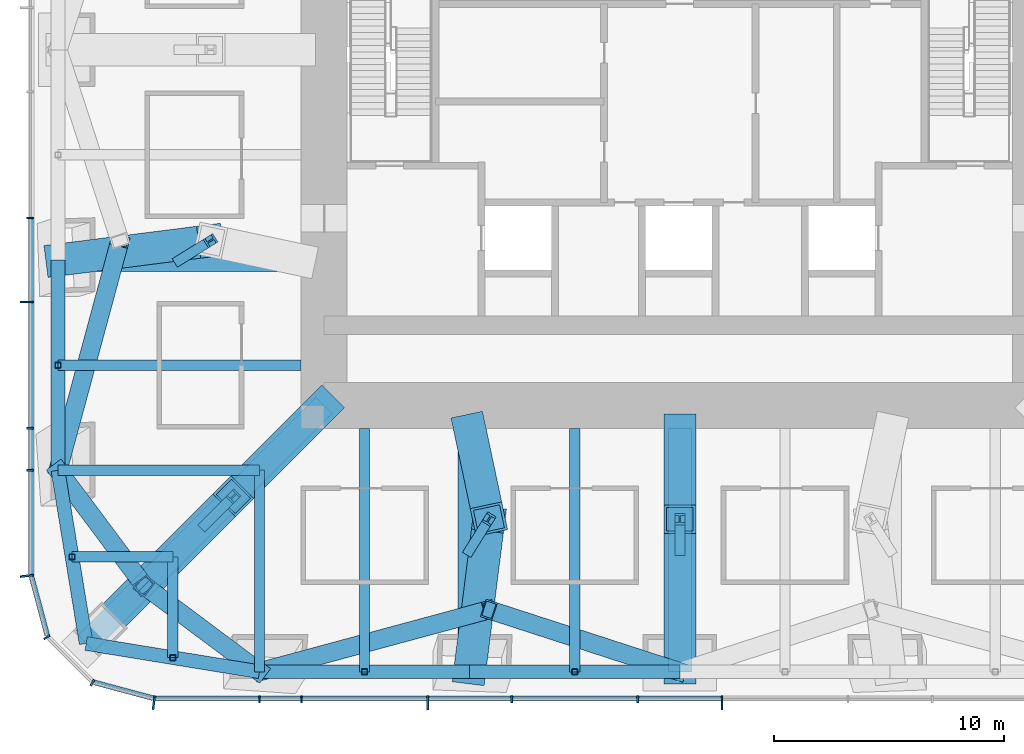
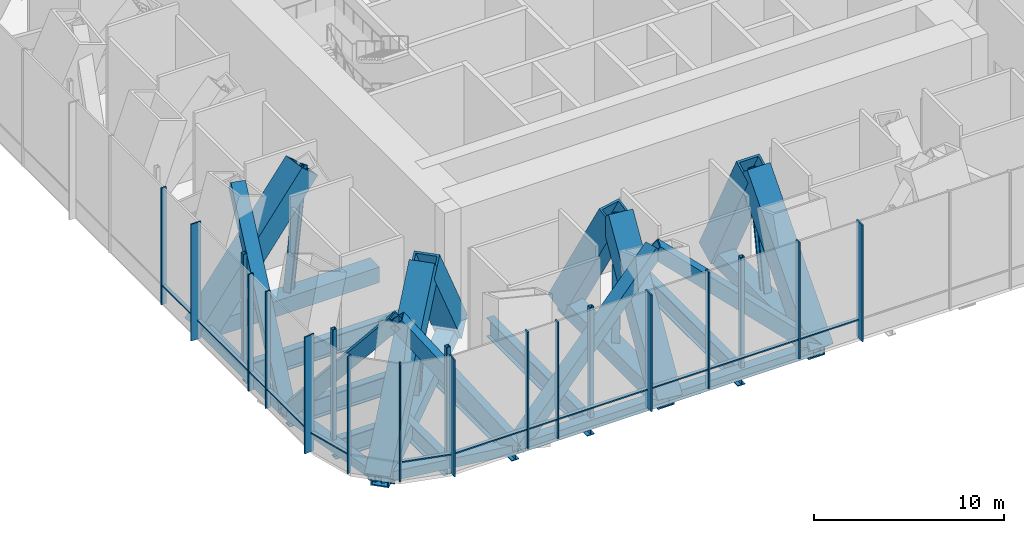
# One storey, part 2 of 16: 56 members, 7 beams, 3 elements without a shape of their own.
"""IFC4 building model written with IfcOpenShell, lengths in metres."""

from ifc_helpers import new_model, si_unit, direction, frame, origin, origin_2d, place, context, subcontext, project, spatial, rectangle, hollow_rectangle, i_section, extrude, material, material_profile, profile_set, type_object, element, aggregate, save


model = new_model("IFC4")

# Units and contexts
model_context = context("Model", 3, precision=1e-05, world=origin(), true_north=direction((0.0, 1.0)))
body_context = subcontext(model_context, "Body", "Model", "MODEL_VIEW")
ifc_project = project(units=[si_unit("LENGTHUNIT", "METRE"), si_unit("AREAUNIT", "SQUARE_METRE"), si_unit("VOLUMEUNIT", "CUBIC_METRE"), si_unit("PLANEANGLEUNIT", "RADIAN"), si_unit("MASSUNIT", "GRAM", prefix="KILO")], contexts=[model_context])

# Site, building, storey
site_placement = place(None, origin())
site = spatial("IfcSite", under=ifc_project, at=site_placement, CompositionType="ELEMENT")
building_placement = place(site_placement, origin())
building = spatial("IfcBuilding", under=site, at=building_placement, Name="Khuree Lantern Residences", CompositionType="ELEMENT")
storey_placement = place(building_placement, frame((0.0, 0.0, 192.0)))
storey = spatial("IfcBuildingStorey", under=building, at=storey_placement, Name="L48", CompositionType="ELEMENT", Elevation=192.0)

# Beams
ifc_material_1 = material(Name="Steel S355", Category="steel")
ifc_material_profile_1 = material_profile(ifc_material_1, i_section(OverallWidth=0.449951171875, OverallDepth=1.199951171875, WebThickness=0.02490234375, FlangeThickness=0.044921875, at=origin_2d()), Name="WELDED I 1200X450X25X45")
ifc_profile_set_1 = profile_set([ifc_material_profile_1], Name="Steel S355")
beam_type_1 = type_object("IfcBeamType", Name="B-48 SECONDARY BEAM WELDED I 1200X450X25X45", PredefinedType="BEAM", material=ifc_profile_set_1)
for number, where, z_axis, x_axis, name in (
    (1, (-4.580078125, -27.10009765625, -0.949951171875), (0.0, 1.0, 0.0), (-1.0, 0.0, 0.0), "Secondary beam S4"),
    (2, (-13.739990234375, -27.10009765625, -0.949951171875), (0.0, 1.0, 0.0), (-1.0, 0.0, 0.0), "Secondary beam S5"),
):
    element("IfcBeam", number, at=place(storey_placement, frame(where, z_axis=z_axis, x_axis=x_axis)), inside=storey, type_object=beam_type_1, Name=name, PredefinedType="BEAM", context=body_context, shape_type="SweptSolid", body=[
        extrude(i_section(OverallWidth=0.449951171875, OverallDepth=1.199951171875, WebThickness=0.02490234375, FlangeThickness=0.044921875, at=origin_2d()), origin(), (0.0, 0.0, 1.0), 10.60009765625),
    ])
for number, where, z_axis, x_axis, name in (
    (3, (-22.094970703125, -26.48486328125, -0.949951171875), (0.0, 1.0, 0.0), (-1.0, 0.0, 0.0), "Secondary beam S6"),
    (4, (-26.48486328125, -22.094970703125, -0.949951171875), (1.0, 0.0, 0.0), (0.0, 1.0, 0.0), "Secondary beam W1"),
):
    element("IfcBeam", number, at=place(storey_placement, frame(where, z_axis=z_axis, x_axis=x_axis)), inside=storey, type_object=beam_type_1, Name=name, PredefinedType="BEAM", context=body_context, shape_type="SweptSolid", body=[
        extrude(i_section(OverallWidth=0.449951171875, OverallDepth=1.199951171875, WebThickness=0.02490234375, FlangeThickness=0.044921875, at=origin_2d()), origin(), (0.0, 0.0, 1.0), 4.389892578125),
    ])
beam_placement = place(storey_placement, frame((-27.10009765625, -13.739990234375, -0.949951171875), z_axis=(1.0, 0.0, 0.0), x_axis=(0.0, 1.0, 0.0)))
element("IfcBeam", 5, at=beam_placement, inside=storey, type_object=beam_type_1, Name="Secondary beam W2", PredefinedType="BEAM", context=body_context, shape_type="SweptSolid", body=[
    extrude(i_section(OverallWidth=0.449951171875, OverallDepth=1.199951171875, WebThickness=0.02490234375, FlangeThickness=0.044921875, at=origin_2d()), origin(), (0.0, 0.0, 1.0), 10.60009765625),
])

# Members
ifc_material_profile_2 = material_profile(ifc_material_1, hollow_rectangle(XDim=0.800048828125, YDim=0.800048828125, WallThickness=0.070068359375, at=origin_2d()), Name="WELDED BOX 800X800X70")
ifc_profile_set_2 = profile_set([ifc_material_profile_2], Name="Steel S355")
member_type_1 = type_object("IfcMemberType", Name="BD-48 BELT TRUSS DIAGONAL WELDED BOX 800X800X70", PredefinedType="BRACE", material=ifc_profile_set_2)
member_1_placement = place(storey_placement, frame((0.0, -27.10009765625, -0.64990234375), z_axis=(-0.718015094379, 0.233024646962, 0.655861142432), x_axis=(-0.308690344156, -0.951162589374, 0.0)))
element("IfcMember", 6, at=member_1_placement, inside=storey, type_object=member_type_1, Name="Belt truss diagonal S4", PredefinedType="BRACE", context=body_context, shape_type="SweptSolid", body=[
    extrude(hollow_rectangle(XDim=0.800048828125, YDim=0.800048828125, WallThickness=0.070068359375, at=origin_2d()), origin(), (0.0, 0.0, 1.0), 11.587646484375),
])
member_2_placement = place(storey_placement, frame((-8.320068359375, -24.39990234375, 6.949951171875), z_axis=(-0.778383779751, -0.210178823341, -0.591560270505), x_axis=(0.260683426993, -0.965424337217, 0.0)))
element("IfcMember", 7, at=member_2_placement, inside=storey, type_object=member_type_1, Name="Belt truss diagonal S5", PredefinedType="BRACE", context=body_context, shape_type="SweptSolid", body=[
    extrude(hollow_rectangle(XDim=0.800048828125, YDim=0.800048828125, WallThickness=0.070068359375, at=origin_2d()), origin(), (0.0, 0.0, 1.0), 12.84716796875),
])
for number, where, z_axis, x_axis, name in (
    (8, (-18.320068359375, -27.10009765625, -0.64990234375), (-0.509986139158, 0.380984544473, 0.771210032832), (-0.598485782825, -0.801133426938, 0.0), "Belt truss diagonal S6"),
    (9, (-23.345703125, -23.345703125, 6.949951171875), (-0.380984544473, 0.509986139158, -0.771210032832), (-0.801133426938, -0.598485782825, 0.0), "Belt truss diagonal W1"),
):
    element("IfcMember", number, at=place(storey_placement, frame(where, z_axis=z_axis, x_axis=x_axis)), inside=storey, type_object=member_type_1, Name=name, PredefinedType="BRACE", context=body_context, shape_type="SweptSolid", body=[
        extrude(hollow_rectangle(XDim=0.800048828125, YDim=0.800048828125, WallThickness=0.070068359375, at=origin_2d()), origin(), (0.0, 0.0, 1.0), 9.8544921875),
    ])
member_3_placement = place(storey_placement, frame((-27.10009765625, -18.320068359375, -0.64990234375), z_axis=(0.210178823341, 0.778383779751, 0.591560270505), x_axis=(-0.965424337217, 0.260683426993, 0.0)))
element("IfcMember", 10, at=member_3_placement, inside=storey, type_object=member_type_1, Name="Belt truss diagonal W2", PredefinedType="BRACE", context=body_context, shape_type="SweptSolid", body=[
    extrude(hollow_rectangle(XDim=0.800048828125, YDim=0.800048828125, WallThickness=0.070068359375, at=origin_2d()), origin(), (0.0, 0.0, 1.0), 12.84716796875),
])
ifc_material_profile_3 = material_profile(ifc_material_1, hollow_rectangle(XDim=0.60009765625, YDim=0.60009765625, WallThickness=0.050048828125, at=origin_2d()), Name="WELDED BOX 600X600X50")
ifc_profile_set_3 = profile_set([ifc_material_profile_3], Name="Steel S355")
member_type_2 = type_object("IfcMemberType", Name="BT-48 BELT TRUSS CHORD WELDED BOX 600X600X50", PredefinedType="CHORD", material=ifc_profile_set_3)
member_4_placement = place(storey_placement, frame((0.0, -27.10009765625, -0.64990234375), z_axis=(-1.0, 0.0, 0.0), x_axis=(0.0, -1.0, 0.0)))
element("IfcMember", 11, at=member_4_placement, inside=storey, type_object=member_type_2, Name="Belt truss chord S4", PredefinedType="CHORD", context=body_context, shape_type="SweptSolid", body=[
    extrude(hollow_rectangle(XDim=0.60009765625, YDim=0.60009765625, WallThickness=0.050048828125, at=origin_2d()), origin(), (0.0, 0.0, 1.0), 9.159912109375),
])
member_5_placement = place(storey_placement, frame((-9.159912109375, -27.10009765625, -0.64990234375), z_axis=(-1.0, 0.0, 0.0), x_axis=(0.0, -1.0, 0.0)))
element("IfcMember", 12, at=member_5_placement, inside=storey, type_object=member_type_2, Name="Belt truss chord S5", PredefinedType="CHORD", context=body_context, shape_type="SweptSolid", body=[
    extrude(hollow_rectangle(XDim=0.60009765625, YDim=0.60009765625, WallThickness=0.050048828125, at=origin_2d()), origin(), (0.0, 0.0, 1.0), 9.16015625),
])
for number, where, z_axis, x_axis, name in (
    (13, (-18.320068359375, -27.10009765625, -0.64990234375), (-0.986982656839, 0.160826723833, 0.0), (-0.160826723833, -0.986982656839, 0.0), "Belt truss chord S6"),
    (14, (-25.869873046875, -25.869873046875, -0.64990234375), (-0.160826723833, 0.986982656839, 0.0), (-0.986982656839, -0.160826723833, 0.0), "Belt truss chord W1"),
):
    element("IfcMember", number, at=place(storey_placement, frame(where, z_axis=z_axis, x_axis=x_axis)), inside=storey, type_object=member_type_2, Name=name, PredefinedType="CHORD", context=body_context, shape_type="SweptSolid", body=[
        extrude(hollow_rectangle(XDim=0.60009765625, YDim=0.60009765625, WallThickness=0.050048828125, at=origin_2d()), origin(), (0.0, 0.0, 1.0), 7.6494140625),
    ])
member_6_placement = place(storey_placement, frame((-27.10009765625, -18.320068359375, -0.64990234375), z_axis=(0.0, 1.0, 0.0), x_axis=(-1.0, 0.0, 0.0)))
element("IfcMember", 15, at=member_6_placement, inside=storey, type_object=member_type_2, Name="Belt truss chord W2", PredefinedType="CHORD", context=body_context, shape_type="SweptSolid", body=[
    extrude(hollow_rectangle(XDim=0.60009765625, YDim=0.60009765625, WallThickness=0.050048828125, at=origin_2d()), origin(), (0.0, 0.0, 1.0), 9.16015625),
])

# Curtain wall, member
ifc_material_2 = material(Name="Bronze anodised aluminium", Category="aluminium")
curtain_wall_type = type_object("IfcCurtainWallType", Name="CW-G PLANT STOREY LOUVRED CURTAIN WALL", PredefinedType="USERDEFINED", material=ifc_material_2)
curtain_wall_1_placement = place(storey_placement, origin())
curtain_wall_1 = element("IfcCurtainWall", 16, at=curtain_wall_1_placement, inside=storey, type_object=curtain_wall_type, Name="L48 WEST FACE CURTAIN WALL", ObjectType="Louvred curtain wall", PredefinedType="USERDEFINED")
ifc_material_profile_4 = material_profile(ifc_material_2, rectangle(XDim=0.080078125, YDim=0.60009765625, at=origin_2d()), Name="F2 80X600")
ifc_profile_set_4 = profile_set([ifc_material_profile_4], Name="Bronze anodised aluminium")
member_type_3 = type_object("IfcMemberType", Name="F2 BRONZE FIN MULLION PLANT 80X600", PredefinedType="MULLION", material=ifc_profile_set_4)
member_7_placement = place(storey_placement, frame((-28.449951171875, -10.991943359375, 0.0), z_axis=(0.0, 0.0, 1.0), x_axis=(0.0, -1.0, 0.0)))
member_7 = element("IfcMember", 17, at=member_7_placement, type_object=member_type_3, Name="L48 WEST FACE FIN MULLION 40", PredefinedType="MULLION", context=body_context, shape_type="SweptSolid", body=[
    extrude(rectangle(XDim=0.080078125, YDim=0.60009765625, at=origin_2d()), origin(), (0.0, 0.0, 1.0), 7.5),
])

curtain_wall_2_placement = place(storey_placement, origin())
curtain_wall_2 = element("IfcCurtainWall", 18, at=curtain_wall_2_placement, inside=storey, type_object=curtain_wall_type, Name="L48 SOUTH-WEST CORNER CURTAIN WALL", ObjectType="Louvred curtain wall", PredefinedType="USERDEFINED")
member_8_placement = place(storey_placement, frame((-28.4501953125, -22.919677734375, 0.0), z_axis=(0.0, 0.0, 1.0), x_axis=(0.130526223125, -0.991444857305, 0.0)))
member_8 = element("IfcMember", 19, at=member_8_placement, type_object=member_type_3, Name="L48 SOUTH-WEST CORNER FIN MULLION 43", PredefinedType="MULLION", context=body_context, shape_type="SweptSolid", body=[
    extrude(rectangle(XDim=0.080078125, YDim=0.60009765625, at=origin_2d()), origin(), (0.0, 0.0, 1.0), 7.5),
])

# Curtain wall, members
curtain_wall_3_placement = place(storey_placement, origin())
curtain_wall_3 = element("IfcCurtainWall", 20, at=curtain_wall_3_placement, inside=storey, type_object=curtain_wall_type, Name="L48 SOUTH FACE CURTAIN WALL", ObjectType="Louvred curtain wall", PredefinedType="USERDEFINED")
member_9_placement = place(storey_placement, frame((-22.919677734375, -28.4501953125, 0.0), z_axis=(0.0, 0.0, 1.0), x_axis=(0.991444857305, -0.130526223125, 0.0)))
member_9 = element("IfcMember", 21, at=member_9_placement, type_object=member_type_3, Name="L48 SOUTH FACE FIN MULLION 46", PredefinedType="MULLION", context=body_context, shape_type="SweptSolid", body=[
    extrude(rectangle(XDim=0.080078125, YDim=0.60009765625, at=origin_2d()), origin(), (0.0, 0.0, 1.0), 7.5),
])
member_10_placement = place(storey_placement, frame((-10.991943359375, -28.449951171875, 0.0), z_axis=(0.0, 0.0, 1.0), x_axis=(1.0, 0.0, 0.0)))
member_10 = element("IfcMember", 22, at=member_10_placement, type_object=member_type_3, Name="L48 SOUTH FACE FIN MULLION 49", PredefinedType="MULLION", context=body_context, shape_type="SweptSolid", body=[
    extrude(rectangle(XDim=0.080078125, YDim=0.60009765625, at=origin_2d()), origin(), (0.0, 0.0, 1.0), 7.5),
])
member_11_placement = place(storey_placement, frame((1.83203125, -28.449951171875, 0.0), z_axis=(0.0, 0.0, 1.0), x_axis=(1.0, 0.0, 0.0)))
member_11 = element("IfcMember", 23, at=member_11_placement, type_object=member_type_3, Name="L48 SOUTH FACE FIN MULLION 52", PredefinedType="MULLION", context=body_context, shape_type="SweptSolid", body=[
    extrude(rectangle(XDim=0.080078125, YDim=0.60009765625, at=origin_2d()), origin(), (0.0, 0.0, 1.0), 7.5),
])

# Beams
ifc_material_profile_5 = material_profile(ifc_material_1, i_section(OverallWidth=0.449951171875, OverallDepth=1.199951171875, WebThickness=0.02490234375, FlangeThickness=0.044921875, at=origin_2d()), Name="WELDED I 1200X450X25X45")
ifc_profile_set_5 = profile_set([ifc_material_profile_5], Name="Steel S355")
beam_type_2 = type_object("IfcBeamType", Name="G-48 GIRDER WELDED I 1200X450X25X45", PredefinedType="BEAM", material=ifc_profile_set_5)
for number, where, z_axis, x_axis, name in (
    (24, (-18.320068359375, -27.10009765625, -0.949951171875), (0.0, 1.0, 0.0), (-1.0, 0.0, 0.0), "Girder S5"),
    (25, (-27.10009765625, -18.320068359375, -0.949951171875), (1.0, 0.0, 0.0), (0.0, 1.0, 0.0), "Girder W1"),
):
    element("IfcBeam", number, at=place(storey_placement, frame(where, z_axis=z_axis, x_axis=x_axis)), inside=storey, type_object=beam_type_2, Name=name, PredefinedType="BEAM", context=body_context, shape_type="SweptSolid", body=[
        extrude(i_section(OverallWidth=0.449951171875, OverallDepth=1.199951171875, WebThickness=0.02490234375, FlangeThickness=0.044921875, at=origin_2d()), origin(), (0.0, 0.0, 1.0), 8.780029296875),
    ])

# Member
ifc_material_profile_6 = material_profile(ifc_material_2, rectangle(XDim=0.080078125, YDim=0.300048828125, at=origin_2d()), Name="M2 80X300")
ifc_profile_set_6 = profile_set([ifc_material_profile_6], Name="Bronze anodised aluminium")
member_type_4 = type_object("IfcMemberType", Name="MULLION M2 PLANT 80X300", PredefinedType="MULLION", material=ifc_profile_set_6)
member_12_placement = place(storey_placement, frame((-28.300048828125, -7.327880859375, 0.0), z_axis=(0.0, 0.0, 1.0), x_axis=(0.0, -1.0, 0.0)))
member_12 = element("IfcMember", 26, at=member_12_placement, type_object=member_type_4, Name="L48 WEST FACE MULLION 39", PredefinedType="MULLION", context=body_context, shape_type="SweptSolid", body=[
    extrude(rectangle(XDim=0.080078125, YDim=0.300048828125, at=origin_2d()), origin(), (0.0, 0.0, 1.0), 7.5),
])

member_13_placement = place(storey_placement, frame((-28.300048828125, -16.488037109375, 0.0), z_axis=(0.0, 0.0, 1.0), x_axis=(0.0, -1.0, 0.0)))
member_13 = element("IfcMember", 27, at=member_13_placement, type_object=member_type_4, Name="L48 WEST FACE MULLION 41", PredefinedType="MULLION", context=body_context, shape_type="SweptSolid", body=[
    extrude(rectangle(XDim=0.080078125, YDim=0.300048828125, at=origin_2d()), origin(), (0.0, 0.0, 1.0), 7.5),
])

member_14_placement = place(storey_placement, frame((-28.300048828125, -18.320068359375, 0.0), z_axis=(0.0, 0.0, 1.0), x_axis=(0.0, -1.0, 0.0)))
member_14 = element("IfcMember", 28, at=member_14_placement, type_object=member_type_4, Name="L48 WEST FACE MULLION 42", PredefinedType="MULLION", context=body_context, shape_type="SweptSolid", body=[
    extrude(rectangle(XDim=0.080078125, YDim=0.300048828125, at=origin_2d()), origin(), (0.0, 0.0, 1.0), 7.5),
])

member_15_placement = place(storey_placement, frame((-27.576416015625, -25.60009765625, 0.0), z_axis=(0.0, 0.0, 1.0), x_axis=(0.500000026995, -0.866025388199, 0.0)))
member_15 = element("IfcMember", 29, at=member_15_placement, type_object=member_type_4, Name="L48 SOUTH-WEST CORNER MULLION 44", PredefinedType="MULLION", context=body_context, shape_type="SweptSolid", body=[
    extrude(rectangle(XDim=0.080078125, YDim=0.300048828125, at=origin_2d()), origin(), (0.0, 0.0, 1.0), 7.5),
])

member_16_placement = place(storey_placement, frame((-25.60009765625, -27.576416015625, 0.0), z_axis=(0.0, 0.0, 1.0), x_axis=(0.866025388199, -0.500000026995, 0.0)))
member_16 = element("IfcMember", 30, at=member_16_placement, type_object=member_type_4, Name="L48 SOUTH-WEST CORNER MULLION 45", PredefinedType="MULLION", context=body_context, shape_type="SweptSolid", body=[
    extrude(rectangle(XDim=0.080078125, YDim=0.300048828125, at=origin_2d()), origin(), (0.0, 0.0, 1.0), 7.5),
])

member_17_placement = place(storey_placement, frame((-18.320068359375, -28.300048828125, 0.0), z_axis=(0.0, 0.0, 1.0), x_axis=(1.0, 0.0, 0.0)))
member_17 = element("IfcMember", 31, at=member_17_placement, type_object=member_type_4, Name="L48 SOUTH FACE MULLION 47", PredefinedType="MULLION", context=body_context, shape_type="SweptSolid", body=[
    extrude(rectangle(XDim=0.080078125, YDim=0.300048828125, at=origin_2d()), origin(), (0.0, 0.0, 1.0), 7.5),
])

member_18_placement = place(storey_placement, frame((-16.488037109375, -28.300048828125, 0.0), z_axis=(0.0, 0.0, 1.0), x_axis=(1.0, 0.0, 0.0)))
member_18 = element("IfcMember", 32, at=member_18_placement, type_object=member_type_4, Name="L48 SOUTH FACE MULLION 48", PredefinedType="MULLION", context=body_context, shape_type="SweptSolid", body=[
    extrude(rectangle(XDim=0.080078125, YDim=0.300048828125, at=origin_2d()), origin(), (0.0, 0.0, 1.0), 7.5),
])

member_19_placement = place(storey_placement, frame((-7.327880859375, -28.300048828125, 0.0), z_axis=(0.0, 0.0, 1.0), x_axis=(1.0, 0.0, 0.0)))
member_19 = element("IfcMember", 33, at=member_19_placement, type_object=member_type_4, Name="L48 SOUTH FACE MULLION 50", PredefinedType="MULLION", context=body_context, shape_type="SweptSolid", body=[
    extrude(rectangle(XDim=0.080078125, YDim=0.300048828125, at=origin_2d()), origin(), (0.0, 0.0, 1.0), 7.5),
])

member_20_placement = place(storey_placement, frame((-1.83203125, -28.300048828125, 0.0), z_axis=(0.0, 0.0, 1.0), x_axis=(1.0, 0.0, 0.0)))
member_20 = element("IfcMember", 34, at=member_20_placement, type_object=member_type_4, Name="L48 SOUTH FACE MULLION 51", PredefinedType="MULLION", context=body_context, shape_type="SweptSolid", body=[
    extrude(rectangle(XDim=0.080078125, YDim=0.300048828125, at=origin_2d()), origin(), (0.0, 0.0, 1.0), 7.5),
])

# Members
ifc_material_profile_7 = material_profile(ifc_material_1, hollow_rectangle(XDim=1.39990234375, YDim=1.39990234375, WallThickness=0.1201171875, at=origin_2d()), Name="WELDED BOX 1400X1400X120")
ifc_profile_set_7 = profile_set([ifc_material_profile_7], Name="Steel S355")
member_type_5 = type_object("IfcMemberType", Name="OD-48 OUTRIGGER TRUSS DIAGONAL WELDED BOX 1400X1400X120", PredefinedType="BRACE", material=ifc_profile_set_7)
member_21_placement = place(storey_placement, frame((-15.5, -15.5, -0.85009765625), z_axis=(-0.419194449983, -0.419194449983, 0.805327278941), x_axis=(0.707106781187, -0.707106781187, 0.0)))
element("IfcMember", 35, at=member_21_placement, inside=storey, type_object=member_type_5, Name="Outrigger diagonal SW core side", PredefinedType="BRACE", context=body_context, shape_type="SweptSolid", body=[
    extrude(hollow_rectangle(XDim=1.39990234375, YDim=1.39990234375, WallThickness=0.1201171875, at=origin_2d()), origin(), (0.0, 0.0, 1.0), 9.437255859375),
])
member_22_placement = place(storey_placement, frame((-19.4560546875, -19.4560546875, 6.75), z_axis=(-0.541997649292, -0.541997649292, -0.642243798198), x_axis=(0.707106781187, -0.707106781187, 0.0)))
element("IfcMember", 36, at=member_22_placement, inside=storey, type_object=member_type_5, Name="Outrigger diagonal SW column side", PredefinedType="BRACE", context=body_context, shape_type="SweptSolid", body=[
    extrude(hollow_rectangle(XDim=1.39990234375, YDim=1.39990234375, WallThickness=0.1201171875, at=origin_2d()), origin(), (0.0, 0.0, 1.0), 11.833740234375),
])
member_23_placement = place(storey_placement, frame((0.0, -16.5, -0.85009765625), z_axis=(0.0, -0.46115976999, 0.887317117238), x_axis=(1.0, 0.0, 0.0)))
element("IfcMember", 37, at=member_23_placement, inside=storey, type_object=member_type_5, Name="Outrigger diagonal S3 core side", PredefinedType="BRACE", context=body_context, shape_type="SweptSolid", body=[
    extrude(hollow_rectangle(XDim=1.39990234375, YDim=1.39990234375, WallThickness=0.1201171875, at=origin_2d()), origin(), (0.0, 0.0, 1.0), 8.565185546875),
])
member_24_placement = place(storey_placement, frame((0.0, -20.449951171875, 6.75), z_axis=(0.0, -0.658508030898, -0.752573699543), x_axis=(1.0, 0.0, 0.0)))
element("IfcMember", 38, at=member_24_placement, inside=storey, type_object=member_type_5, Name="Outrigger diagonal S3 column side", PredefinedType="BRACE", context=body_context, shape_type="SweptSolid", body=[
    extrude(hollow_rectangle(XDim=1.39990234375, YDim=1.39990234375, WallThickness=0.1201171875, at=origin_2d()), origin(), (0.0, 0.0, 1.0), 10.098876953125),
])
member_25_placement = place(storey_placement, frame((-9.159912109375, -16.5, -0.85009765625), z_axis=(0.097584410085, -0.45895877057, 0.883082176145), x_axis=(0.97813472116, 0.20797227522, 0.0)))
element("IfcMember", 39, at=member_25_placement, inside=storey, type_object=member_type_5, Name="Outrigger diagonal S4 core side", PredefinedType="BRACE", context=body_context, shape_type="SweptSolid", body=[
    extrude(hollow_rectangle(XDim=1.39990234375, YDim=1.39990234375, WallThickness=0.1201171875, at=origin_2d()), origin(), (0.0, 0.0, 1.0), 8.6064453125),
])
for number, where, z_axis, x_axis, name in (
    (40, (-8.320068359375, -20.449951171875, 6.75), (-0.082876562959, -0.656242644896, -0.749984710732), (0.992119618756, -0.125294301866, 0.0), "Outrigger diagonal S4 column side"),
    (41, (-20.449951171875, -8.320068359375, 6.75), (-0.656242644896, -0.082876562959, -0.749984710732), (0.125294301866, -0.992119618756, 0.0), "Outrigger diagonal W2 column side"),
):
    element("IfcMember", number, at=place(storey_placement, frame(where, z_axis=z_axis, x_axis=x_axis)), inside=storey, type_object=member_type_5, Name=name, PredefinedType="BRACE", context=body_context, shape_type="SweptSolid", body=[
        extrude(hollow_rectangle(XDim=1.39990234375, YDim=1.39990234375, WallThickness=0.1201171875, at=origin_2d()), origin(), (0.0, 0.0, 1.0), 10.1337890625),
    ])
ifc_material_profile_8 = material_profile(ifc_material_1, i_section(OverallWidth=0.431884765625, OverallDepth=0.498046875, WebThickness=0.0556640625, FlangeThickness=0.0888671875, FilletRadius=0.014892578125, at=origin_2d()), Name="HD 400X744")
ifc_profile_set_8 = profile_set([ifc_material_profile_8], Name="Steel S355")
member_type_6 = type_object("IfcMemberType", Name="OP-48 OUTRIGGER TRUSS POST HD 400X744", PredefinedType="POST", material=ifc_profile_set_8)
member_26_placement = place(storey_placement, frame((-20.684814453125, -20.684814453125, -0.85009765625), z_axis=(0.15760950286, 0.15760950286, 0.97484280231), x_axis=(-0.707106781187, 0.707106781187, 0.0)))
element("IfcMember", 42, at=member_26_placement, inside=storey, type_object=member_type_6, Name="Outrigger post SW", PredefinedType="POST", context=body_context, shape_type="SweptSolid", body=[
    extrude(i_section(OverallWidth=0.431884765625, OverallDepth=0.498046875, WebThickness=0.0556640625, FlangeThickness=0.0888671875, FilletRadius=0.014892578125, at=origin_2d()), origin(), (0.0, 0.0, 1.0), 7.796142578125),
])
member_27_placement = place(storey_placement, frame((0.0, -21.800048828125, -0.85009765625), z_axis=(0.0, 0.174903883222, 0.984585512606), x_axis=(-1.0, 0.0, 0.0)))
element("IfcMember", 43, at=member_27_placement, inside=storey, type_object=member_type_6, Name="Outrigger post S3", PredefinedType="POST", context=body_context, shape_type="SweptSolid", body=[
    extrude(i_section(OverallWidth=0.431884765625, OverallDepth=0.498046875, WebThickness=0.0556640625, FlangeThickness=0.0888671875, FilletRadius=0.014892578125, at=origin_2d()), origin(), (0.0, 0.0, 1.0), 7.718994140625),
])
for number, where, z_axis, x_axis, name in (
    (44, (-9.159912109375, -21.800048828125, -0.85009765625), (0.108162656539, 0.173877758914, 0.978809156417), (-0.849117820297, 0.528203490384, 0.0), "Outrigger post S4"),
    (45, (-21.800048828125, -9.159912109375, -0.85009765625), (0.173877758914, 0.108162656539, 0.978809156417), (-0.528203490384, 0.849117820297, 0.0), "Outrigger post W2"),
):
    element("IfcMember", number, at=place(storey_placement, frame(where, z_axis=z_axis, x_axis=x_axis)), inside=storey, type_object=member_type_6, Name=name, PredefinedType="POST", context=body_context, shape_type="SweptSolid", body=[
        extrude(i_section(OverallWidth=0.431884765625, OverallDepth=0.498046875, WebThickness=0.0556640625, FlangeThickness=0.0888671875, FilletRadius=0.014892578125, at=origin_2d()), origin(), (0.0, 0.0, 1.0), 7.7646484375),
    ])
ifc_material_profile_9 = material_profile(ifc_material_1, hollow_rectangle(XDim=1.0, YDim=1.0, WallThickness=0.080078125, at=origin_2d()), Name="WELDED BOX 1000X1000X80")
ifc_profile_set_9 = profile_set([ifc_material_profile_9], Name="Steel S355")
member_type_7 = type_object("IfcMemberType", Name="OT-48 OUTRIGGER TRUSS CHORD WELDED BOX 1000X1000X80", PredefinedType="CHORD", material=ifc_profile_set_9)
for number, where, z_axis, x_axis, name in (
    (46, (0.0, -27.10009765625, -0.85009765625), (0.0, 1.0, 0.0), (-1.0, 0.0, 0.0), "Outrigger chord S3"),
    (47, (-9.159912109375, -27.10009765625, -0.85009765625), (0.0, 1.0, 0.0), (-1.0, 0.0, 0.0), "Outrigger chord S4"),
    (48, (-27.10009765625, -9.159912109375, -0.85009765625), (1.0, 0.0, 0.0), (0.0, 1.0, 0.0), "Outrigger chord W2"),
):
    element("IfcMember", number, at=place(storey_placement, frame(where, z_axis=z_axis, x_axis=x_axis)), inside=storey, type_object=member_type_7, Name=name, PredefinedType="CHORD", context=body_context, shape_type="SweptSolid", body=[
        extrude(hollow_rectangle(XDim=1.0, YDim=1.0, WallThickness=0.080078125, at=origin_2d()), origin(), (0.0, 0.0, 1.0), 10.60009765625),
    ])
member_28_placement = place(storey_placement, frame((-25.869873046875, -25.869873046875, -0.85009765625), z_axis=(0.707106781187, 0.707106781187, 0.0), x_axis=(-0.707106781187, 0.707106781187, 0.0)))
element("IfcMember", 49, at=member_28_placement, inside=storey, type_object=member_type_7, Name="Outrigger chord SW", PredefinedType="CHORD", context=body_context, shape_type="SweptSolid", body=[
    extrude(hollow_rectangle(XDim=1.0, YDim=1.0, WallThickness=0.080078125, at=origin_2d()), origin(), (0.0, 0.0, 1.0), 14.665283203125),
])
ifc_material_profile_10 = material_profile(ifc_material_1, hollow_rectangle(XDim=0.25, YDim=0.25, WallThickness=0.012451171875, InnerFilletRadius=0.012451171875, OuterFilletRadius=0.018798828125, at=origin_2d()), Name="SHS 250X250X12.5")
ifc_profile_set_10 = profile_set([ifc_material_profile_10], Name="Steel S355")
member_type_8 = type_object("IfcMemberType", Name="TP1 TERRACE POST SHS 250X250X12.5", PredefinedType="POST", material=ifc_profile_set_10)
for number, where, z_axis, x_axis, name in (
    (50, (-4.580078125, -27.10009765625, -0.35009765625), (0.0, 0.0, 1.0), (1.0, 0.0, 0.0), "Terrace post S4"),
    (51, (-13.739990234375, -27.10009765625, -0.35009765625), (0.0, 0.0, 1.0), (1.0, 0.0, 0.0), "Terrace post S5"),
    (52, (-22.094970703125, -26.48486328125, -0.35009765625), (0.0, 0.0, 1.0), (1.0, 0.0, 0.0), "Terrace post S6"),
    (53, (-26.48486328125, -22.094970703125, -0.35009765625), (0.0, 0.0, 1.0), (1.0, 0.0, 0.0), "Terrace post W1"),
    (54, (-27.10009765625, -13.739990234375, -0.35009765625), (0.0, 0.0, 1.0), (1.0, 0.0, 0.0), "Terrace post W2"),
):
    element("IfcMember", number, at=place(storey_placement, frame(where, z_axis=z_axis, x_axis=x_axis)), inside=storey, type_object=member_type_8, Name=name, PredefinedType="POST", context=body_context, shape_type="SweptSolid", body=[
        extrude(hollow_rectangle(XDim=0.25, YDim=0.25, WallThickness=0.012451171875, InnerFilletRadius=0.012451171875, OuterFilletRadius=0.018798828125, at=origin_2d()), origin(), (0.0, 0.0, 1.0), 7.10009765625),
    ])

# Member
ifc_material_profile_11 = material_profile(ifc_material_2, rectangle(XDim=0.219970703125, YDim=0.080078125, at=origin_2d()), Name="T2 220X80")
ifc_profile_set_11 = profile_set([ifc_material_profile_11], Name="Bronze anodised aluminium")
member_type_9 = type_object("IfcMemberType", Name="TRANSOM T2 PLANT 220X80", PredefinedType="USERDEFINED", material=ifc_profile_set_11)
member_29_placement = place(storey_placement, frame((-28.27001953125, -7.367919921875, 1.199951171875), z_axis=(0.0, -1.0, 0.0), x_axis=(1.0, 0.0, 0.0)))
member_29 = element("IfcMember", 55, at=member_29_placement, type_object=member_type_9, Name="L48 WEST FACE TRANSOM 39.1", ObjectType="Transom", PredefinedType="USERDEFINED", context=body_context, shape_type="SweptSolid", body=[
    extrude(rectangle(XDim=0.219970703125, YDim=0.080078125, at=origin_2d()), origin(), (0.0, 0.0, 1.0), 3.583984375),
])

member_30_placement = place(storey_placement, frame((-28.27001953125, -11.031982421875, 1.199951171875), z_axis=(0.0, -1.0, 0.0), x_axis=(1.0, 0.0, 0.0)))
member_30 = element("IfcMember", 56, at=member_30_placement, type_object=member_type_9, Name="L48 WEST FACE TRANSOM 40.1", ObjectType="Transom", PredefinedType="USERDEFINED", context=body_context, shape_type="SweptSolid", body=[
    extrude(rectangle(XDim=0.219970703125, YDim=0.080078125, at=origin_2d()), origin(), (0.0, 0.0, 1.0), 5.416015625),
])

member_31_placement = place(storey_placement, frame((-28.27001953125, -16.528076171875, 1.199951171875), z_axis=(0.0, -1.0, 0.0), x_axis=(1.0, 0.0, 0.0)))
member_31 = element("IfcMember", 57, at=member_31_placement, type_object=member_type_9, Name="L48 WEST FACE TRANSOM 41.1", ObjectType="Transom", PredefinedType="USERDEFINED", context=body_context, shape_type="SweptSolid", body=[
    extrude(rectangle(XDim=0.219970703125, YDim=0.080078125, at=origin_2d()), origin(), (0.0, 0.0, 1.0), 1.751953125),
])

member_32_placement = place(storey_placement, frame((-28.27001953125, -18.360107421875, 1.199951171875), z_axis=(0.0, -1.0, 0.0), x_axis=(1.0, 0.0, 0.0)))
member_32 = element("IfcMember", 58, at=member_32_placement, type_object=member_type_9, Name="L48 WEST FACE TRANSOM 42.1", ObjectType="Transom", PredefinedType="USERDEFINED", context=body_context, shape_type="SweptSolid", body=[
    extrude(rectangle(XDim=0.219970703125, YDim=0.080078125, at=origin_2d()), origin(), (0.0, 0.0, 1.0), 4.481201171875),
])

aggregate(curtain_wall_1, [member_12, member_7, member_13, member_14, member_29, member_30, member_31, member_32])

member_33_placement = place(storey_placement, frame((-28.255859375, -22.948974609375, 1.199951171875), z_axis=(0.258833993596, -0.965921820728, 0.0), x_axis=(0.965921820728, 0.258833993596, 0.0)))
member_33 = element("IfcMember", 59, at=member_33_placement, type_object=member_type_9, Name="L48 SOUTH-WEST CORNER TRANSOM 43.1", ObjectType="Transom", PredefinedType="USERDEFINED", context=body_context, shape_type="SweptSolid", body=[
    extrude(rectangle(XDim=0.219970703125, YDim=0.080078125, at=origin_2d()), origin(), (0.0, 0.0, 1.0), 2.658935546875),
])

member_34_placement = place(storey_placement, frame((-25.517333984375, -27.567626953125, 1.199951171875), z_axis=(0.965921820728, -0.258833993596, 0.0), x_axis=(0.258833993596, 0.965921820728, 0.0)))
member_34 = element("IfcMember", 60, at=member_34_placement, type_object=member_type_9, Name="L48 SOUTH-WEST CORNER TRANSOM 45.1", ObjectType="Transom", PredefinedType="USERDEFINED", context=body_context, shape_type="SweptSolid", body=[
    extrude(rectangle(XDim=0.219970703125, YDim=0.080078125, at=origin_2d()), origin(), (0.0, 0.0, 1.0), 2.658935546875),
])

aggregate(curtain_wall_2, [member_8, member_15, member_16, member_33, member_34])

member_35_placement = place(storey_placement, frame((-22.84130859375, -28.27001953125, 1.199951171875), z_axis=(1.0, 0.0, 0.0), x_axis=(0.0, 1.0, 0.0)))
member_35 = element("IfcMember", 61, at=member_35_placement, type_object=member_type_9, Name="L48 SOUTH FACE TRANSOM 46.1", ObjectType="Transom", PredefinedType="USERDEFINED", context=body_context, shape_type="SweptSolid", body=[
    extrude(rectangle(XDim=0.219970703125, YDim=0.080078125, at=origin_2d()), origin(), (0.0, 0.0, 1.0), 4.481201171875),
])

member_36_placement = place(storey_placement, frame((-18.280029296875, -28.27001953125, 1.199951171875), z_axis=(1.0, 0.0, 0.0), x_axis=(0.0, 1.0, 0.0)))
member_36 = element("IfcMember", 62, at=member_36_placement, type_object=member_type_9, Name="L48 SOUTH FACE TRANSOM 47.1", ObjectType="Transom", PredefinedType="USERDEFINED", context=body_context, shape_type="SweptSolid", body=[
    extrude(rectangle(XDim=0.219970703125, YDim=0.080078125, at=origin_2d()), origin(), (0.0, 0.0, 1.0), 1.751953125),
])

member_37_placement = place(storey_placement, frame((-16.447998046875, -28.27001953125, 1.199951171875), z_axis=(1.0, 0.0, 0.0), x_axis=(0.0, 1.0, 0.0)))
member_37 = element("IfcMember", 63, at=member_37_placement, type_object=member_type_9, Name="L48 SOUTH FACE TRANSOM 48.1", ObjectType="Transom", PredefinedType="USERDEFINED", context=body_context, shape_type="SweptSolid", body=[
    extrude(rectangle(XDim=0.219970703125, YDim=0.080078125, at=origin_2d()), origin(), (0.0, 0.0, 1.0), 5.416015625),
])

member_38_placement = place(storey_placement, frame((-10.951904296875, -28.27001953125, 1.199951171875), z_axis=(1.0, 0.0, 0.0), x_axis=(0.0, 1.0, 0.0)))
member_38 = element("IfcMember", 64, at=member_38_placement, type_object=member_type_9, Name="L48 SOUTH FACE TRANSOM 49.1", ObjectType="Transom", PredefinedType="USERDEFINED", context=body_context, shape_type="SweptSolid", body=[
    extrude(rectangle(XDim=0.219970703125, YDim=0.080078125, at=origin_2d()), origin(), (0.0, 0.0, 1.0), 3.583984375),
])

member_39_placement = place(storey_placement, frame((-7.2880859375, -28.27001953125, 1.199951171875), z_axis=(1.0, 0.0, 0.0), x_axis=(0.0, 1.0, 0.0)))
member_39 = element("IfcMember", 65, at=member_39_placement, type_object=member_type_9, Name="L48 SOUTH FACE TRANSOM 50.1", ObjectType="Transom", PredefinedType="USERDEFINED", context=body_context, shape_type="SweptSolid", body=[
    extrude(rectangle(XDim=0.219970703125, YDim=0.080078125, at=origin_2d()), origin(), (0.0, 0.0, 1.0), 5.416015625),
])

member_40_placement = place(storey_placement, frame((-1.7919921875, -28.27001953125, 1.199951171875), z_axis=(1.0, 0.0, 0.0), x_axis=(0.0, 1.0, 0.0)))
member_40 = element("IfcMember", 66, at=member_40_placement, type_object=member_type_9, Name="L48 SOUTH FACE TRANSOM 51.1", ObjectType="Transom", PredefinedType="USERDEFINED", context=body_context, shape_type="SweptSolid", body=[
    extrude(rectangle(XDim=0.219970703125, YDim=0.080078125, at=origin_2d()), origin(), (0.0, 0.0, 1.0), 3.583984375),
])

aggregate(curtain_wall_3, [member_9, member_17, member_18, member_10, member_19, member_20, member_11, member_35, member_36, member_37, member_38, member_39, member_40])

save(model, "model.ifc")
